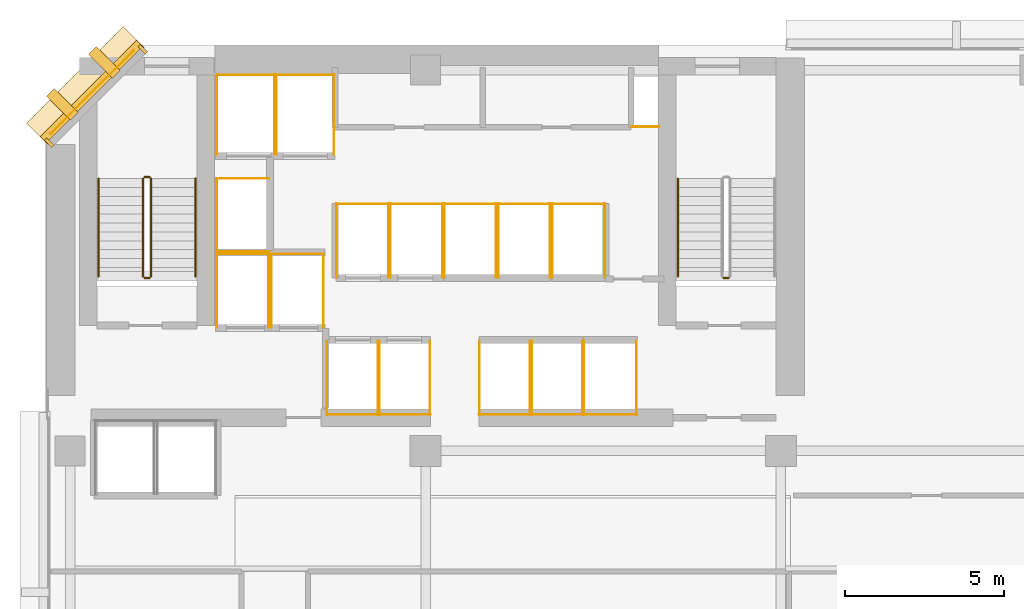
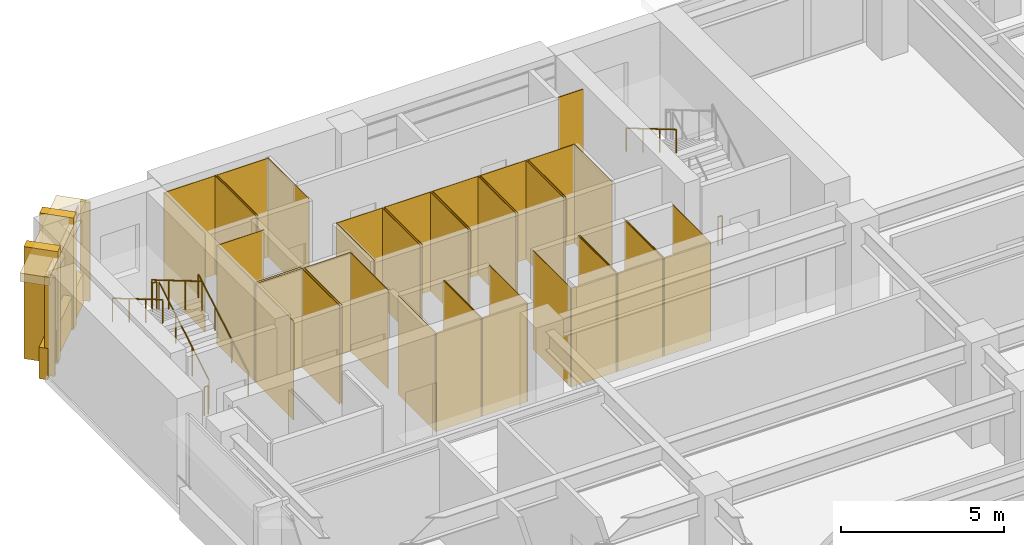
# One storey, part 11 of 13: 53 coverings, 8 railings.
"""IFC4 building model written with IfcOpenShell, lengths in metres."""

from ifc_helpers import new_model, si_unit, direction, frame, origin, origin_2d, place, context, subcontext, project, spatial, polyline, rectangle, circle, outline, extrude, material, layer, layer_set, type_object, element, save


model = new_model("IFC4")

# Units and contexts
model_context = context("Model", 3, precision=1e-05, world=origin(), true_north=direction((0.0, 1.0)))
body_context = subcontext(model_context, "Body", "Model", "MODEL_VIEW")
ifc_project = project(units=[si_unit("LENGTHUNIT", "METRE"), si_unit("AREAUNIT", "SQUARE_METRE"), si_unit("VOLUMEUNIT", "CUBIC_METRE"), si_unit("PLANEANGLEUNIT", "RADIAN"), si_unit("MASSUNIT", "GRAM", prefix="KILO")], contexts=[model_context])

# Site, building, storey
site_placement = place(None, origin())
site = spatial("IfcSite", under=ifc_project, at=site_placement, CompositionType="ELEMENT")
building_placement = place(site_placement, origin())
building = spatial("IfcBuilding", under=site, at=building_placement, Name="Kefirva Bronze Tower", CompositionType="ELEMENT")
storey_placement = place(building_placement, frame((0.0, 0.0, 98.669921875)))
storey = spatial("IfcBuildingStorey", under=building, at=storey_placement, Name="L23", CompositionType="ELEMENT", Elevation=98.669921875)

# Coverings
ifc_material_1 = material(Name="Bronze anodised aluminium", Category="aluminium")
ifc_layer_1 = layer(ifc_material_1, 0.02001953125, Name="Bronze anodised aluminium")
ifc_layer_set_1 = layer_set([ifc_layer_1], Name="Bronze anodised aluminium")
covering_type_1 = type_object("IfcCoveringType", Name="Anodised Bronze Spandrel Cladding 20mm", PredefinedType="CLADDING", material=ifc_layer_set_1)
covering_1_placement = place(storey_placement, frame((1.492919921875, 44.507080078125, 3.2900390625), z_axis=(0.0, 0.0, 1.0), x_axis=(-0.707106781187, -0.707106781187, 0.0)))
element("IfcCovering", 1, at=covering_1_placement, inside=storey, type_object=covering_type_1, Name="L23 Bronze Spandrel Cladding 6", PredefinedType="CLADDING", context=body_context, shape_type="SweptSolid", body=[
    extrude(rectangle(XDim=3.719482421875, YDim=0.02001953125, at=origin_2d()), origin(), (0.0, 0.0, 1.0), 0.39990234375),
])
for number, where, z_axis, x_axis, name in (
    (2, (3.08837890625, 45.862060546875, 0.0), (0.0, 0.0, 1.0), (-0.707106781187, -0.707106781187, 0.0), "L23 Facade Joint Closure Panel 6S"),
    (3, (0.137939453125, 42.91162109375, 0.0), (0.0, 0.0, 1.0), (-0.707106781187, -0.707106781187, 0.0), "L23 Facade Joint Closure Panel 6E"),
):
    element("IfcCovering", number, at=place(storey_placement, frame(where, z_axis=z_axis, x_axis=x_axis)), inside=storey, type_object=covering_type_1, Name=name, PredefinedType="CLADDING", context=body_context, shape_type="SweptSolid", body=[
        extrude(rectangle(XDim=0.10009765625, YDim=0.320068359375, at=origin_2d()), origin(), (0.0, 0.0, 1.0), 3.7099609375),
    ])
covering_2_placement = place(storey_placement, frame((1.4716796875, 44.5283203125, -0.15966796875), z_axis=(0.0, 0.0, 1.0), x_axis=(-0.707106781187, -0.707106781187, 0.0)))
element("IfcCovering", 4, at=covering_2_placement, inside=storey, type_object=covering_type_1, Name="L23 Streamline Horizontal Spandrel Band 9", PredefinedType="CLADDING", context=body_context, shape_type="SweptSolid", body=[
    extrude(rectangle(XDim=4.28271484375, YDim=0.280029296875, at=origin_2d()), origin(), (0.0, 0.0, 1.0), 1.179931640625),
])
covering_3_placement = place(storey_placement, origin())
element("IfcCovering", 5, at=covering_3_placement, inside=storey, type_object=covering_type_1, Name="L23 Lift FF1 Hoistway Liner N", PredefinedType="CLADDING", context=body_context, shape_type="SweptSolid", body=[
    extrude(outline(polyline([(5.39990234375, 39.389892578125), (7.080078125, 39.389892578125), (7.080078125, 39.409912109375), (5.39990234375, 39.409912109375), (5.39990234375, 39.389892578125)])), origin(), (0.0, 0.0, 1.0), 3.7099609375),
])
covering_4_placement = place(storey_placement, origin())
element("IfcCovering", 6, at=covering_4_placement, inside=storey, type_object=covering_type_1, Name="L23 Lift FF1 Hoistway Liner W", PredefinedType="CLADDING", context=body_context, shape_type="SweptSolid", body=[
    extrude(outline(polyline([(5.409912109375, 37.080078125), (5.429931640625, 37.080078125), (5.429931640625, 39.419921875), (5.409912109375, 39.419921875), (5.409912109375, 37.080078125)])), origin(), (0.0, 0.0, 1.0), 3.7099609375),
])
covering_5_placement = place(storey_placement, origin())
element("IfcCovering", 7, at=covering_5_placement, inside=storey, type_object=covering_type_1, Name="L23 Lift FF1 Hoistway Liner E", PredefinedType="CLADDING", context=body_context, shape_type="SweptSolid", body=[
    extrude(outline(polyline([(7.050048828125, 37.080078125), (7.070068359375, 37.080078125), (7.070068359375, 39.419921875), (7.050048828125, 39.419921875), (7.050048828125, 37.080078125)])), origin(), (0.0, 0.0, 1.0), 3.7099609375),
])
covering_6_placement = place(storey_placement, origin())
element("IfcCovering", 8, at=covering_6_placement, inside=storey, type_object=covering_type_1, Name="L23 Lift FF2 Hoistway Liner N", PredefinedType="CLADDING", context=body_context, shape_type="SweptSolid", body=[
    extrude(outline(polyline([(7.1201171875, 39.389892578125), (8.800048828125, 39.389892578125), (8.800048828125, 39.409912109375), (7.1201171875, 39.409912109375), (7.1201171875, 39.389892578125)])), origin(), (0.0, 0.0, 1.0), 3.7099609375),
])
covering_7_placement = place(storey_placement, origin())
element("IfcCovering", 9, at=covering_7_placement, inside=storey, type_object=covering_type_1, Name="L23 Lift FF2 Hoistway Liner W", PredefinedType="CLADDING", context=body_context, shape_type="SweptSolid", body=[
    extrude(outline(polyline([(7.1298828125, 37.080078125), (7.14990234375, 37.080078125), (7.14990234375, 39.419921875), (7.1298828125, 39.419921875), (7.1298828125, 37.080078125)])), origin(), (0.0, 0.0, 1.0), 3.7099609375),
])
covering_8_placement = place(storey_placement, origin())
element("IfcCovering", 10, at=covering_8_placement, inside=storey, type_object=covering_type_1, Name="L23 Lift FF2 Hoistway Liner E", PredefinedType="CLADDING", context=body_context, shape_type="SweptSolid", body=[
    extrude(outline(polyline([(8.77001953125, 37.080078125), (8.7900390625, 37.080078125), (8.7900390625, 39.419921875), (8.77001953125, 39.419921875), (8.77001953125, 37.080078125)])), origin(), (0.0, 0.0, 1.0), 3.7099609375),
])
covering_9_placement = place(storey_placement, origin())
element("IfcCovering", 11, at=covering_9_placement, inside=storey, type_object=covering_type_1, Name="L23 Lift SV1 Hoistway Liner N", PredefinedType="CLADDING", context=body_context, shape_type="SweptSolid", body=[
    extrude(outline(polyline([(5.39990234375, 45.0400390625), (7.260009765625, 45.0400390625), (7.260009765625, 45.06005859375), (5.39990234375, 45.06005859375), (5.39990234375, 45.0400390625)])), origin(), (0.0, 0.0, 1.0), 3.7099609375),
])
covering_10_placement = place(storey_placement, origin())
element("IfcCovering", 12, at=covering_10_placement, inside=storey, type_object=covering_type_1, Name="L23 Lift SV1 Hoistway Liner W", PredefinedType="CLADDING", context=body_context, shape_type="SweptSolid", body=[
    extrude(outline(polyline([(5.409912109375, 42.530029296875), (5.429931640625, 42.530029296875), (5.429931640625, 45.070068359375), (5.409912109375, 45.070068359375), (5.409912109375, 42.530029296875)])), origin(), (0.0, 0.0, 1.0), 3.7099609375),
])
covering_11_placement = place(storey_placement, origin())
element("IfcCovering", 13, at=covering_11_placement, inside=storey, type_object=covering_type_1, Name="L23 Lift SV1 Hoistway Liner E", PredefinedType="CLADDING", context=body_context, shape_type="SweptSolid", body=[
    extrude(outline(polyline([(7.22998046875, 42.530029296875), (7.25, 42.530029296875), (7.25, 45.070068359375), (7.22998046875, 45.070068359375), (7.22998046875, 42.530029296875)])), origin(), (0.0, 0.0, 1.0), 3.7099609375),
])
covering_12_placement = place(storey_placement, origin())
element("IfcCovering", 14, at=covering_12_placement, inside=storey, type_object=covering_type_1, Name="L23 Lift SV2 Hoistway Liner N", PredefinedType="CLADDING", context=body_context, shape_type="SweptSolid", body=[
    extrude(outline(polyline([(7.280029296875, 45.0400390625), (9.139892578125, 45.0400390625), (9.139892578125, 45.06005859375), (7.280029296875, 45.06005859375), (7.280029296875, 45.0400390625)])), origin(), (0.0, 0.0, 1.0), 3.7099609375),
])
covering_13_placement = place(storey_placement, origin())
element("IfcCovering", 15, at=covering_13_placement, inside=storey, type_object=covering_type_1, Name="L23 Lift SV2 Hoistway Liner W", PredefinedType="CLADDING", context=body_context, shape_type="SweptSolid", body=[
    extrude(outline(polyline([(7.2900390625, 42.530029296875), (7.31005859375, 42.530029296875), (7.31005859375, 45.070068359375), (7.2900390625, 45.070068359375), (7.2900390625, 42.530029296875)])), origin(), (0.0, 0.0, 1.0), 3.7099609375),
])
covering_14_placement = place(storey_placement, origin())
element("IfcCovering", 16, at=covering_14_placement, inside=storey, type_object=covering_type_1, Name="L23 Lift SV2 Hoistway Liner E", PredefinedType="CLADDING", context=body_context, shape_type="SweptSolid", body=[
    extrude(outline(polyline([(9.110107421875, 42.530029296875), (9.1298828125, 42.530029296875), (9.1298828125, 45.070068359375), (9.110107421875, 45.070068359375), (9.110107421875, 42.530029296875)])), origin(), (0.0, 0.0, 1.0), 3.7099609375),
])
covering_15_placement = place(storey_placement, origin())
element("IfcCovering", 17, at=covering_15_placement, inside=storey, type_object=covering_type_1, Name="L23 Lift LP1 Hoistway Liner S", PredefinedType="CLADDING", context=body_context, shape_type="SweptSolid", body=[
    extrude(outline(polyline([(8.8798828125, 34.340087890625), (10.52001953125, 34.340087890625), (10.52001953125, 34.360107421875), (8.8798828125, 34.360107421875), (8.8798828125, 34.340087890625)])), origin(), (0.0, 0.0, 1.0), 3.7099609375),
])
covering_16_placement = place(storey_placement, origin())
element("IfcCovering", 18, at=covering_16_placement, inside=storey, type_object=covering_type_1, Name="L23 Lift LP1 Hoistway Liner W", PredefinedType="CLADDING", context=body_context, shape_type="SweptSolid", body=[
    extrude(outline(polyline([(8.889892578125, 34.330078125), (8.909912109375, 34.330078125), (8.909912109375, 36.669921875), (8.889892578125, 36.669921875), (8.889892578125, 34.330078125)])), origin(), (0.0, 0.0, 1.0), 3.7099609375),
])
covering_17_placement = place(storey_placement, origin())
element("IfcCovering", 19, at=covering_17_placement, inside=storey, type_object=covering_type_1, Name="L23 Lift LP1 Hoistway Liner E", PredefinedType="CLADDING", context=body_context, shape_type="SweptSolid", body=[
    extrude(outline(polyline([(10.489990234375, 34.330078125), (10.510009765625, 34.330078125), (10.510009765625, 36.669921875), (10.489990234375, 36.669921875), (10.489990234375, 34.330078125)])), origin(), (0.0, 0.0, 1.0), 3.7099609375),
])
covering_18_placement = place(storey_placement, origin())
element("IfcCovering", 20, at=covering_18_placement, inside=storey, type_object=covering_type_1, Name="L23 Lift LP2 Hoistway Liner S", PredefinedType="CLADDING", context=body_context, shape_type="SweptSolid", body=[
    extrude(outline(polyline([(10.52001953125, 34.340087890625), (12.159912109375, 34.340087890625), (12.159912109375, 34.360107421875), (10.52001953125, 34.360107421875), (10.52001953125, 34.340087890625)])), origin(), (0.0, 0.0, 1.0), 3.7099609375),
])
covering_19_placement = place(storey_placement, origin())
element("IfcCovering", 21, at=covering_19_placement, inside=storey, type_object=covering_type_1, Name="L23 Lift LP2 Hoistway Liner W", PredefinedType="CLADDING", context=body_context, shape_type="SweptSolid", body=[
    extrude(outline(polyline([(10.530029296875, 34.330078125), (10.550048828125, 34.330078125), (10.550048828125, 36.669921875), (10.530029296875, 36.669921875), (10.530029296875, 34.330078125)])), origin(), (0.0, 0.0, 1.0), 3.7099609375),
])
covering_20_placement = place(storey_placement, origin())
element("IfcCovering", 22, at=covering_20_placement, inside=storey, type_object=covering_type_1, Name="L23 Lift LP2 Hoistway Liner E", PredefinedType="CLADDING", context=body_context, shape_type="SweptSolid", body=[
    extrude(outline(polyline([(12.1298828125, 34.330078125), (12.14990234375, 34.330078125), (12.14990234375, 36.669921875), (12.1298828125, 36.669921875), (12.1298828125, 34.330078125)])), origin(), (0.0, 0.0, 1.0), 3.7099609375),
])
covering_21_placement = place(storey_placement, origin())
element("IfcCovering", 23, at=covering_21_placement, inside=storey, type_object=covering_type_1, Name="L23 Lift LP3 Hoistway Liner N", PredefinedType="CLADDING", context=body_context, shape_type="SweptSolid", body=[
    extrude(outline(polyline([(9.179931640625, 40.969970703125), (10.85009765625, 40.969970703125), (10.85009765625, 40.989990234375), (9.179931640625, 40.989990234375), (9.179931640625, 40.969970703125)])), origin(), (0.0, 0.0, 1.0), 3.7099609375),
])
covering_22_placement = place(storey_placement, origin())
element("IfcCovering", 24, at=covering_22_placement, inside=storey, type_object=covering_type_1, Name="L23 Lift LP3 Hoistway Liner W", PredefinedType="CLADDING", context=body_context, shape_type="SweptSolid", body=[
    extrude(outline(polyline([(9.18994140625, 38.659912109375), (9.2099609375, 38.659912109375), (9.2099609375, 41.0), (9.18994140625, 41.0), (9.18994140625, 38.659912109375)])), origin(), (0.0, 0.0, 1.0), 3.7099609375),
])
covering_23_placement = place(storey_placement, origin())
element("IfcCovering", 25, at=covering_23_placement, inside=storey, type_object=covering_type_1, Name="L23 Lift LP3 Hoistway Liner E", PredefinedType="CLADDING", context=body_context, shape_type="SweptSolid", body=[
    extrude(outline(polyline([(10.820068359375, 38.659912109375), (10.840087890625, 38.659912109375), (10.840087890625, 41.0), (10.820068359375, 41.0), (10.820068359375, 38.659912109375)])), origin(), (0.0, 0.0, 1.0), 3.7099609375),
])
covering_24_placement = place(storey_placement, origin())
element("IfcCovering", 26, at=covering_24_placement, inside=storey, type_object=covering_type_1, Name="L23 Lift LP4 Hoistway Liner N", PredefinedType="CLADDING", context=body_context, shape_type="SweptSolid", body=[
    extrude(outline(polyline([(10.8798828125, 40.969970703125), (12.550048828125, 40.969970703125), (12.550048828125, 40.989990234375), (10.8798828125, 40.989990234375), (10.8798828125, 40.969970703125)])), origin(), (0.0, 0.0, 1.0), 3.7099609375),
])
covering_25_placement = place(storey_placement, origin())
element("IfcCovering", 27, at=covering_25_placement, inside=storey, type_object=covering_type_1, Name="L23 Lift LP4 Hoistway Liner W", PredefinedType="CLADDING", context=body_context, shape_type="SweptSolid", body=[
    extrude(outline(polyline([(10.889892578125, 38.659912109375), (10.909912109375, 38.659912109375), (10.909912109375, 41.0), (10.889892578125, 41.0), (10.889892578125, 38.659912109375)])), origin(), (0.0, 0.0, 1.0), 3.7099609375),
])
covering_26_placement = place(storey_placement, origin())
element("IfcCovering", 28, at=covering_26_placement, inside=storey, type_object=covering_type_1, Name="L23 Lift LP4 Hoistway Liner E", PredefinedType="CLADDING", context=body_context, shape_type="SweptSolid", body=[
    extrude(outline(polyline([(12.52001953125, 38.659912109375), (12.5400390625, 38.659912109375), (12.5400390625, 41.0), (12.52001953125, 41.0), (12.52001953125, 38.659912109375)])), origin(), (0.0, 0.0, 1.0), 3.7099609375),
])
covering_27_placement = place(storey_placement, origin())
element("IfcCovering", 29, at=covering_27_placement, inside=storey, type_object=covering_type_1, Name="L23 Lift MP1 Hoistway Liner S", PredefinedType="CLADDING", context=body_context, shape_type="SweptSolid", body=[
    extrude(outline(polyline([(13.679931640625, 34.340087890625), (15.320068359375, 34.340087890625), (15.320068359375, 34.360107421875), (13.679931640625, 34.360107421875), (13.679931640625, 34.340087890625)])), origin(), (0.0, 0.0, 1.0), 3.7099609375),
])
covering_28_placement = place(storey_placement, origin())
element("IfcCovering", 30, at=covering_28_placement, inside=storey, type_object=covering_type_1, Name="L23 Lift MP1 Hoistway Liner W", PredefinedType="CLADDING", context=body_context, shape_type="SweptSolid", body=[
    extrude(outline(polyline([(13.68994140625, 34.330078125), (13.7099609375, 34.330078125), (13.7099609375, 36.669921875), (13.68994140625, 36.669921875), (13.68994140625, 34.330078125)])), origin(), (0.0, 0.0, 1.0), 3.7099609375),
])
covering_29_placement = place(storey_placement, origin())
element("IfcCovering", 31, at=covering_29_placement, inside=storey, type_object=covering_type_1, Name="L23 Lift MP1 Hoistway Liner E", PredefinedType="CLADDING", context=body_context, shape_type="SweptSolid", body=[
    extrude(outline(polyline([(15.2900390625, 34.330078125), (15.31005859375, 34.330078125), (15.31005859375, 36.669921875), (15.2900390625, 36.669921875), (15.2900390625, 34.330078125)])), origin(), (0.0, 0.0, 1.0), 3.7099609375),
])
covering_30_placement = place(storey_placement, origin())
element("IfcCovering", 32, at=covering_30_placement, inside=storey, type_object=covering_type_1, Name="L23 Lift MP2 Hoistway Liner S", PredefinedType="CLADDING", context=body_context, shape_type="SweptSolid", body=[
    extrude(outline(polyline([(15.330078125, 34.340087890625), (16.969970703125, 34.340087890625), (16.969970703125, 34.360107421875), (15.330078125, 34.360107421875), (15.330078125, 34.340087890625)])), origin(), (0.0, 0.0, 1.0), 3.7099609375),
])
covering_31_placement = place(storey_placement, origin())
element("IfcCovering", 33, at=covering_31_placement, inside=storey, type_object=covering_type_1, Name="L23 Lift MP2 Hoistway Liner W", PredefinedType="CLADDING", context=body_context, shape_type="SweptSolid", body=[
    extrude(outline(polyline([(15.340087890625, 34.330078125), (15.360107421875, 34.330078125), (15.360107421875, 36.669921875), (15.340087890625, 36.669921875), (15.340087890625, 34.330078125)])), origin(), (0.0, 0.0, 1.0), 3.7099609375),
])
covering_32_placement = place(storey_placement, origin())
element("IfcCovering", 34, at=covering_32_placement, inside=storey, type_object=covering_type_1, Name="L23 Lift MP2 Hoistway Liner E", PredefinedType="CLADDING", context=body_context, shape_type="SweptSolid", body=[
    extrude(outline(polyline([(16.93994140625, 34.330078125), (16.9599609375, 34.330078125), (16.9599609375, 36.669921875), (16.93994140625, 36.669921875), (16.93994140625, 34.330078125)])), origin(), (0.0, 0.0, 1.0), 3.7099609375),
])
covering_33_placement = place(storey_placement, origin())
element("IfcCovering", 35, at=covering_33_placement, inside=storey, type_object=covering_type_1, Name="L23 Lift MP3 Hoistway Liner N", PredefinedType="CLADDING", context=body_context, shape_type="SweptSolid", body=[
    extrude(outline(polyline([(12.580078125, 40.969970703125), (14.25, 40.969970703125), (14.25, 40.989990234375), (12.580078125, 40.989990234375), (12.580078125, 40.969970703125)])), origin(), (0.0, 0.0, 1.0), 3.7099609375),
])
covering_34_placement = place(storey_placement, origin())
element("IfcCovering", 36, at=covering_34_placement, inside=storey, type_object=covering_type_1, Name="L23 Lift MP3 Hoistway Liner W", PredefinedType="CLADDING", context=body_context, shape_type="SweptSolid", body=[
    extrude(outline(polyline([(12.590087890625, 38.659912109375), (12.610107421875, 38.659912109375), (12.610107421875, 41.0), (12.590087890625, 41.0), (12.590087890625, 38.659912109375)])), origin(), (0.0, 0.0, 1.0), 3.7099609375),
])
covering_35_placement = place(storey_placement, origin())
element("IfcCovering", 37, at=covering_35_placement, inside=storey, type_object=covering_type_1, Name="L23 Lift MP3 Hoistway Liner E", PredefinedType="CLADDING", context=body_context, shape_type="SweptSolid", body=[
    extrude(outline(polyline([(14.219970703125, 38.659912109375), (14.239990234375, 38.659912109375), (14.239990234375, 41.0), (14.219970703125, 41.0), (14.219970703125, 38.659912109375)])), origin(), (0.0, 0.0, 1.0), 3.7099609375),
])
covering_36_placement = place(storey_placement, origin())
element("IfcCovering", 38, at=covering_36_placement, inside=storey, type_object=covering_type_1, Name="L23 Lift MP4 Hoistway Liner N", PredefinedType="CLADDING", context=body_context, shape_type="SweptSolid", body=[
    extrude(outline(polyline([(14.280029296875, 40.969970703125), (15.949951171875, 40.969970703125), (15.949951171875, 40.989990234375), (14.280029296875, 40.989990234375), (14.280029296875, 40.969970703125)])), origin(), (0.0, 0.0, 1.0), 3.7099609375),
])
covering_37_placement = place(storey_placement, origin())
element("IfcCovering", 39, at=covering_37_placement, inside=storey, type_object=covering_type_1, Name="L23 Lift MP4 Hoistway Liner W", PredefinedType="CLADDING", context=body_context, shape_type="SweptSolid", body=[
    extrude(outline(polyline([(14.2900390625, 38.659912109375), (14.31005859375, 38.659912109375), (14.31005859375, 41.0), (14.2900390625, 41.0), (14.2900390625, 38.659912109375)])), origin(), (0.0, 0.0, 1.0), 3.7099609375),
])
covering_38_placement = place(storey_placement, origin())
element("IfcCovering", 40, at=covering_38_placement, inside=storey, type_object=covering_type_1, Name="L23 Lift MP4 Hoistway Liner E", PredefinedType="CLADDING", context=body_context, shape_type="SweptSolid", body=[
    extrude(outline(polyline([(15.919921875, 38.659912109375), (15.93994140625, 38.659912109375), (15.93994140625, 41.0), (15.919921875, 41.0), (15.919921875, 38.659912109375)])), origin(), (0.0, 0.0, 1.0), 3.7099609375),
])
covering_39_placement = place(storey_placement, origin())
element("IfcCovering", 41, at=covering_39_placement, inside=storey, type_object=covering_type_1, Name="L23 Lift HP1 Hoistway Liner S", PredefinedType="CLADDING", context=body_context, shape_type="SweptSolid", body=[
    extrude(outline(polyline([(16.97998046875, 34.340087890625), (18.669921875, 34.340087890625), (18.669921875, 34.360107421875), (16.97998046875, 34.360107421875), (16.97998046875, 34.340087890625)])), origin(), (0.0, 0.0, 1.0), 3.7099609375),
])
covering_40_placement = place(storey_placement, origin())
element("IfcCovering", 42, at=covering_40_placement, inside=storey, type_object=covering_type_1, Name="L23 Lift HP1 Hoistway Liner W", PredefinedType="CLADDING", context=body_context, shape_type="SweptSolid", body=[
    extrude(outline(polyline([(16.989990234375, 34.330078125), (17.010009765625, 34.330078125), (17.010009765625, 36.669921875), (16.989990234375, 36.669921875), (16.989990234375, 34.330078125)])), origin(), (0.0, 0.0, 1.0), 3.7099609375),
])
covering_41_placement = place(storey_placement, origin())
element("IfcCovering", 43, at=covering_41_placement, inside=storey, type_object=covering_type_1, Name="L23 Lift HP1 Hoistway Liner E", PredefinedType="CLADDING", context=body_context, shape_type="SweptSolid", body=[
    extrude(outline(polyline([(18.639892578125, 34.330078125), (18.659912109375, 34.330078125), (18.659912109375, 36.669921875), (18.639892578125, 36.669921875), (18.639892578125, 34.330078125)])), origin(), (0.0, 0.0, 1.0), 3.7099609375),
])
covering_42_placement = place(storey_placement, origin())
element("IfcCovering", 44, at=covering_42_placement, inside=storey, type_object=covering_type_1, Name="L23 Lift HP2 Hoistway Liner N", PredefinedType="CLADDING", context=body_context, shape_type="SweptSolid", body=[
    extrude(outline(polyline([(15.97998046875, 40.969970703125), (17.669921875, 40.969970703125), (17.669921875, 40.989990234375), (15.97998046875, 40.989990234375), (15.97998046875, 40.969970703125)])), origin(), (0.0, 0.0, 1.0), 3.7099609375),
])
covering_43_placement = place(storey_placement, origin())
element("IfcCovering", 45, at=covering_43_placement, inside=storey, type_object=covering_type_1, Name="L23 Lift HP2 Hoistway Liner W", PredefinedType="CLADDING", context=body_context, shape_type="SweptSolid", body=[
    extrude(outline(polyline([(15.989990234375, 38.659912109375), (16.010009765625, 38.659912109375), (16.010009765625, 41.0), (15.989990234375, 41.0), (15.989990234375, 38.659912109375)])), origin(), (0.0, 0.0, 1.0), 3.7099609375),
])
covering_44_placement = place(storey_placement, origin())
element("IfcCovering", 46, at=covering_44_placement, inside=storey, type_object=covering_type_1, Name="L23 Lift HP2 Hoistway Liner E", PredefinedType="CLADDING", context=body_context, shape_type="SweptSolid", body=[
    extrude(outline(polyline([(17.639892578125, 38.659912109375), (17.659912109375, 38.659912109375), (17.659912109375, 41.0), (17.639892578125, 41.0), (17.639892578125, 38.659912109375)])), origin(), (0.0, 0.0, 1.0), 3.7099609375),
])
covering_45_placement = place(storey_placement, origin())
element("IfcCovering", 47, at=covering_45_placement, inside=storey, type_object=covering_type_1, Name="L23 Lift HP3 Hoistway Liner N", PredefinedType="CLADDING", context=body_context, shape_type="SweptSolid", body=[
    extrude(outline(polyline([(5.39990234375, 41.77001953125), (7.080078125, 41.77001953125), (7.080078125, 41.7900390625), (5.39990234375, 41.7900390625), (5.39990234375, 41.77001953125)])), origin(), (0.0, 0.0, 1.0), 3.7099609375),
])
covering_46_placement = place(storey_placement, origin())
element("IfcCovering", 48, at=covering_46_placement, inside=storey, type_object=covering_type_1, Name="L23 Lift HP3 Hoistway Liner S", PredefinedType="CLADDING", context=body_context, shape_type="SweptSolid", body=[
    extrude(outline(polyline([(5.39990234375, 39.469970703125), (7.080078125, 39.469970703125), (7.080078125, 39.489990234375), (5.39990234375, 39.489990234375), (5.39990234375, 39.469970703125)])), origin(), (0.0, 0.0, 1.0), 3.7099609375),
])
covering_47_placement = place(storey_placement, origin())
element("IfcCovering", 49, at=covering_47_placement, inside=storey, type_object=covering_type_1, Name="L23 Lift HP3 Hoistway Liner W", PredefinedType="CLADDING", context=body_context, shape_type="SweptSolid", body=[
    extrude(outline(polyline([(5.409912109375, 39.4599609375), (5.429931640625, 39.4599609375), (5.429931640625, 41.800048828125), (5.409912109375, 41.800048828125), (5.409912109375, 39.4599609375)])), origin(), (0.0, 0.0, 1.0), 3.7099609375),
])
covering_48_placement = place(storey_placement, origin())
element("IfcCovering", 50, at=covering_48_placement, inside=storey, type_object=covering_type_1, Name="L23 Core MEP Riser Shaft Liner South", PredefinedType="CLADDING", context=body_context, shape_type="SweptSolid", body=[
    extrude(outline(polyline([(18.47998046875, 43.39990234375), (19.360107421875, 43.39990234375), (19.360107421875, 43.429931640625), (18.47998046875, 43.429931640625), (18.47998046875, 43.39990234375)])), origin(), (0.0, 0.0, 1.0), 3.7099609375),
])

# Railings
ifc_material_2 = material(Name="Stainless steel 316", Category="steel")
railing_type_1 = type_object("IfcRailingType", Name="Interior Stair Guardrail 1100mm", PredefinedType="GUARDRAIL", material=ifc_material_2)
railing_1_placement = place(storey_placement, frame((3.35009765625, 38.699951171875, 0.1650390625)))
element("IfcRailing", 51, at=railing_1_placement, inside=storey, type_object=railing_type_1, Name="L23 ST-1 stair guard 1", PredefinedType="GUARDRAIL", context=body_context, shape_type="SweptSolid", body=[
    extrude(circle(Radius=0.02392578125, at=origin_2d()), frame((0.0, 0.0, 1.076171875), z_axis=(0.0, 0.861551262678, 0.507670583921), x_axis=(-1.0, 0.0, 0.0)), (0.0, 0.0, 1.0), 3.574951171875),
    extrude(circle(Radius=0.02099609375, at=origin_2d()), origin(), (0.0, 0.0, 1.0), 1.052001953125),
    extrude(circle(Radius=0.02099609375, at=origin_2d()), frame((0.0, 1.026611328125, 0.60498046875)), (0.0, 0.0, 1.0), 1.052001953125),
    extrude(circle(Radius=0.02099609375, at=origin_2d()), frame((0.0, 2.053466796875, 1.2099609375)), (0.0, 0.0, 1.0), 1.052001953125),
    extrude(circle(Radius=0.02099609375, at=origin_2d()), frame((0.0, 3.080078125, 1.81494140625)), (0.0, 0.0, 1.0), 1.052001953125),
])
railing_2_placement = place(storey_placement, frame((3.300048828125, 41.830078125, 1.97998046875)))
element("IfcRailing", 52, at=railing_2_placement, inside=storey, type_object=railing_type_1, Name="L23 ST-1 stair guard 2", PredefinedType="GUARDRAIL", context=body_context, shape_type="SweptSolid", body=[
    extrude(circle(Radius=0.02392578125, at=origin_2d()), frame((0.0, 0.0, 1.076171875), z_axis=(-1.0, 0.0, 0.0), x_axis=(0.0, -1.0, 0.0)), (0.0, 0.0, 1.0), 0.150146484375),
    extrude(circle(Radius=0.02099609375, at=origin_2d()), origin(), (0.0, 0.0, 1.0), 1.052001953125),
    extrude(circle(Radius=0.02099609375, at=origin_2d()), frame((-0.150146484375, 0.0, 0.0)), (0.0, 0.0, 1.0), 1.052001953125),
])
railing_3_placement = place(storey_placement, frame((3.10009765625, 41.780029296875, 2.14501953125)))
element("IfcRailing", 53, at=railing_3_placement, inside=storey, type_object=railing_type_1, Name="L23 ST-1 stair guard 3", PredefinedType="GUARDRAIL", context=body_context, shape_type="SweptSolid", body=[
    extrude(circle(Radius=0.02392578125, at=origin_2d()), frame((0.0, 0.0, 1.076171875), z_axis=(0.0, -0.861551262678, 0.507670583921), x_axis=(1.0, 0.0, 0.0)), (0.0, 0.0, 1.0), 3.574951171875),
    extrude(circle(Radius=0.02099609375, at=origin_2d()), origin(), (0.0, 0.0, 1.0), 1.052001953125),
    extrude(circle(Radius=0.02099609375, at=origin_2d()), frame((0.0, -1.026611328125, 0.60498046875)), (0.0, 0.0, 1.0), 1.052001953125),
    extrude(circle(Radius=0.02099609375, at=origin_2d()), frame((0.0, -2.053466796875, 1.2099609375)), (0.0, 0.0, 1.0), 1.052001953125),
    extrude(circle(Radius=0.02099609375, at=origin_2d()), frame((0.0, -3.080078125, 1.81494140625)), (0.0, 0.0, 1.0), 1.052001953125),
])
for number, where, name in (
    (54, (3.300048828125, 38.64990234375, 0.0), "L23 ST-1 stair guard 4"),
    (55, (21.550048828125, 38.64990234375, 0.0), "L23 ST-2 stair guard 4"),
):
    element("IfcRailing", number, at=place(storey_placement, frame(where)), inside=storey, type_object=railing_type_1, Name=name, PredefinedType="GUARDRAIL", context=body_context, shape_type="SweptSolid", body=[
        extrude(circle(Radius=0.02392578125, at=origin_2d()), frame((0.0, 0.0, 1.076171875), z_axis=(-1.0, 0.0, 0.0), x_axis=(0.0, -1.0, 0.0)), (0.0, 0.0, 1.0), 0.150146484375),
        extrude(circle(Radius=0.02099609375, at=origin_2d()), origin(), (0.0, 0.0, 1.0), 1.052001953125),
        extrude(circle(Radius=0.02099609375, at=origin_2d()), frame((-0.150146484375, 0.0, 0.0)), (0.0, 0.0, 1.0), 1.052001953125),
    ])
railing_type_2 = type_object("IfcRailingType", Name="Stair Pitch Handrail 900mm", PredefinedType="HANDRAIL", material=ifc_material_2)
railing_4_placement = place(storey_placement, frame((4.75, 38.699951171875, 0.1650390625)))
element("IfcRailing", 56, at=railing_4_placement, inside=storey, type_object=railing_type_2, Name="L23 ST-1 stair handrail 1", PredefinedType="HANDRAIL", context=body_context, shape_type="SweptSolid", body=[
    extrude(circle(Radius=0.02392578125, at=origin_2d()), frame((0.0, 0.0, 0.8759765625), z_axis=(0.0, 0.861551262678, 0.507670583921), x_axis=(-1.0, 0.0, 0.0)), (0.0, 0.0, 1.0), 3.574951171875),
    extrude(circle(Radius=0.02099609375, at=origin_2d()), origin(), (0.0, 0.0, 1.0), 0.851806640625),
    extrude(circle(Radius=0.02099609375, at=origin_2d()), frame((0.0, 1.026611328125, 0.60498046875)), (0.0, 0.0, 1.0), 0.851806640625),
    extrude(circle(Radius=0.02099609375, at=origin_2d()), frame((0.0, 2.053466796875, 1.2099609375)), (0.0, 0.0, 1.0), 0.851806640625),
    extrude(circle(Radius=0.02099609375, at=origin_2d()), frame((0.0, 3.080078125, 1.81494140625)), (0.0, 0.0, 1.0), 0.851806640625),
])
for number, where, name in (
    (57, (1.699951171875, 41.780029296875, 2.14501953125), "L23 ST-1 stair handrail 2"),
    (58, (19.949951171875, 41.780029296875, 2.14501953125), "L23 ST-2 stair handrail 2"),
):
    element("IfcRailing", number, at=place(storey_placement, frame(where)), inside=storey, type_object=railing_type_2, Name=name, PredefinedType="HANDRAIL", context=body_context, shape_type="SweptSolid", body=[
        extrude(circle(Radius=0.02392578125, at=origin_2d()), frame((0.0, 0.0, 0.8759765625), z_axis=(0.0, -0.861551262678, 0.507670583921), x_axis=(1.0, 0.0, 0.0)), (0.0, 0.0, 1.0), 3.574951171875),
        extrude(circle(Radius=0.02099609375, at=origin_2d()), origin(), (0.0, 0.0, 1.0), 0.851806640625),
        extrude(circle(Radius=0.02099609375, at=origin_2d()), frame((0.0, -1.026611328125, 0.60498046875)), (0.0, 0.0, 1.0), 0.851806640625),
        extrude(circle(Radius=0.02099609375, at=origin_2d()), frame((0.0, -2.053466796875, 1.2099609375)), (0.0, 0.0, 1.0), 0.851806640625),
        extrude(circle(Radius=0.02099609375, at=origin_2d()), frame((0.0, -3.080078125, 1.81494140625)), (0.0, 0.0, 1.0), 0.851806640625),
    ])

# Coverings
ifc_layer_2 = layer(ifc_material_1, 0.179931640625, Name="Bronze anodised aluminium")
ifc_layer_set_2 = layer_set([ifc_layer_2], Name="Bronze anodised aluminium")
covering_type_2 = type_object("IfcCoveringType", Name="Streamline Bronze Sunshade Eyebrow Cladding 180mm", PredefinedType="CLADDING", material=ifc_layer_set_2)
covering_49_placement = place(storey_placement, frame((1.28076171875, 44.71923828125, 3.39013671875), z_axis=(0.0, 0.0, 1.0), x_axis=(-0.707106781187, -0.707106781187, 0.0)))
element("IfcCovering", 59, at=covering_49_placement, inside=storey, type_object=covering_type_2, Name="L23 Streamline Bronze Sunshade Eyebrow 9", PredefinedType="CLADDING", context=body_context, shape_type="SweptSolid", body=[
    extrude(rectangle(XDim=4.322509765625, YDim=0.93994140625, at=origin_2d()), origin(), (0.0, 0.0, 1.0), 0.320068359375),
])
ifc_layer_3 = layer(ifc_material_1, 0.260009765625, Name="Bronze anodised aluminium")
ifc_layer_set_3 = layer_set([ifc_layer_3], Name="Bronze anodised aluminium")
covering_type_3 = type_object("IfcCoveringType", Name="Unbroken Bronze Buttress Fin Cladding 260mm", PredefinedType="CLADDING", material=ifc_layer_set_3)
for number, where, z_axis, x_axis, name in (
    (60, (1.877197265625, 45.44287109375, -0.25), (0.0, 0.0, 1.0), (-0.707106781187, -0.707106781187, 0.0), "L23 Chamfered Corner Buttress Fin Cladding 23"),
    (61, (0.55712890625, 44.122802734375, -0.25), (0.0, 0.0, 1.0), (-0.707106781187, -0.707106781187, 0.0), "L23 Chamfered Corner Buttress Fin Cladding 24"),
):
    element("IfcCovering", number, at=place(storey_placement, frame(where, z_axis=z_axis, x_axis=x_axis)), inside=storey, type_object=covering_type_3, Name=name, PredefinedType="CLADDING", context=body_context, shape_type="SweptSolid", body=[
        extrude(rectangle(XDim=0.340087890625, YDim=1.080078125, at=origin_2d()), origin(), (0.0, 0.0, 1.0), 4.2099609375),
    ])

save(model, "model.ifc")
